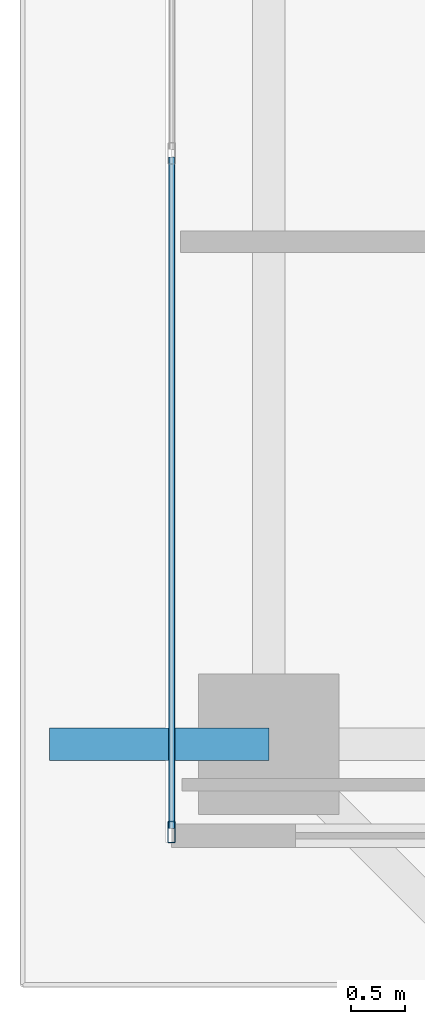
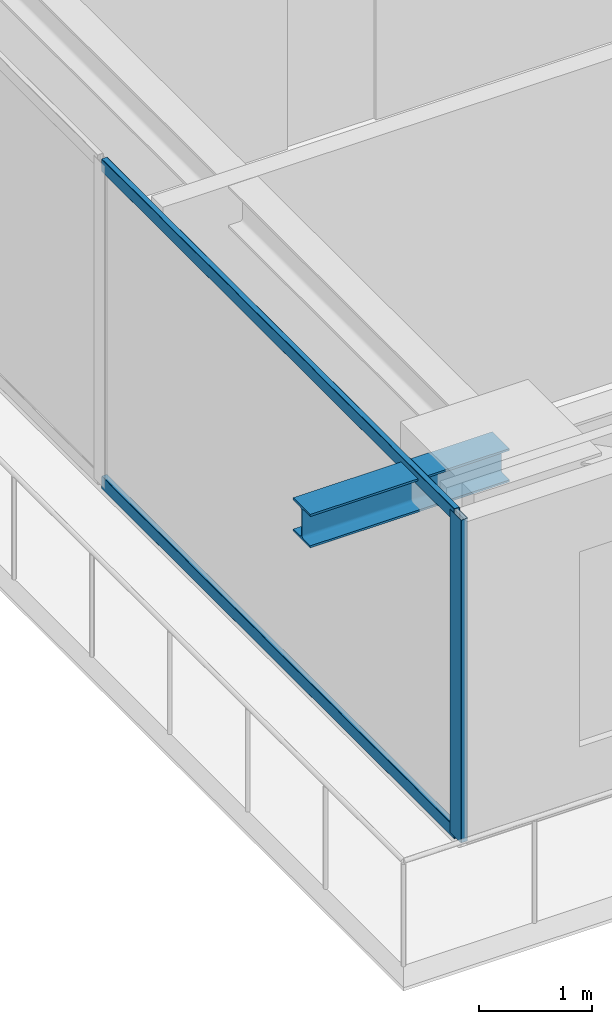
# One storey, part 3 of 36: 3 members, 1 beam, 1 element without a shape of its own.
"""IFC4 building model written with IfcOpenShell, lengths in metres."""

from ifc_helpers import new_model, si_unit, direction, frame, origin, origin_2d, place, context, subcontext, project, spatial, hollow_rectangle, i_section, extrude, source, transform, mapped, material, layer, layer_set, material_profile, profile_set, type_object, element, aggregate, save


model = new_model("IFC4")

# Units and contexts
model_context = context("Model", 3, precision=1e-05, world=origin(), true_north=direction((0.0, 1.0)))
body_context = subcontext(model_context, "Body", "Model", "MODEL_VIEW")
ifc_project = project(units=[si_unit("LENGTHUNIT", "METRE"), si_unit("AREAUNIT", "SQUARE_METRE"), si_unit("VOLUMEUNIT", "CUBIC_METRE"), si_unit("PLANEANGLEUNIT", "RADIAN"), si_unit("MASSUNIT", "GRAM", prefix="KILO")], contexts=[model_context])

# Site, building, storey
site_placement = place(None, origin())
site = spatial("IfcSite", under=ifc_project, at=site_placement, CompositionType="ELEMENT")
building_placement = place(site_placement, origin())
building = spatial("IfcBuilding", under=site, at=building_placement, Name="Serunith Strait Residences", CompositionType="ELEMENT")
storey_placement = place(building_placement, frame((0.0, 0.0, 131.39990234375)))
storey = spatial("IfcBuildingStorey", under=building, at=storey_placement, Name="L32", CompositionType="ELEMENT", Elevation=131.39990234375)

# Beam
ifc_material_1 = material(Name="Steel S355J2", Category="steel")
ifc_material_profile_1 = material_profile(ifc_material_1, i_section(OverallWidth=0.300048828125, OverallDepth=0.360107421875, WebThickness=0.012451171875, FlangeThickness=0.0224609375, FilletRadius=0.027099609375, at=origin_2d()), Name="HEB 360")
ifc_profile_set_1 = profile_set([ifc_material_profile_1], Name="Steel S355J2")
beam_type = type_object("IfcBeamType", Name="BM-HEB360", PredefinedType="BEAM", material=ifc_profile_set_1)
shared_shape_1 = source(origin(), body_context, "Body", "SweptSolid", [
    extrude(i_section(OverallWidth=0.300048828125, OverallDepth=0.360107421875, WebThickness=0.012451171875, FlangeThickness=0.0224609375, FilletRadius=0.027099609375, at=origin_2d()), origin(), (0.0, 0.0, 1.0), 2.030029296875),
])
beam_placement = place(storey_placement, frame((8.699951171875, 10.25, 3.277099609375), z_axis=(-1.0, 0.0, 0.0), x_axis=(0.0, -1.0, 0.0)))
element("IfcBeam", 1, at=beam_placement, inside=storey, type_object=beam_type, Name="L33 Cantilevered Balcony Rib TC-W1", PredefinedType="BEAM", context=body_context, shape_type="MappedRepresentation", body=[
    mapped(shared_shape_1, transform((0.0, 0.0, 0.0), scale=1.0)),
])

# Curtain wall, members
ifc_material_2 = material(Name="Pale-Champagne Anodised Aluminium", Category="aluminium")
ifc_layer = layer(ifc_material_2, 0.199951171875, Name="Pale-Champagne Anodised Aluminium")
ifc_layer_set = layer_set([ifc_layer], Name="Pale-Champagne Anodised Aluminium")
curtain_wall_type = type_object("IfcCurtainWallType", Name="CW-SYS2", PredefinedType="NOTDEFINED", material=ifc_layer_set)
curtain_wall_placement = place(storey_placement, origin())
curtain_wall = element("IfcCurtainWall", 2, at=curtain_wall_placement, inside=storey, type_object=curtain_wall_type, Name="L32 W Unitised Fritted Curtain Wall", PredefinedType="NOTDEFINED")
ifc_material_profile_2 = material_profile(ifc_material_2, hollow_rectangle(XDim=0.070068359375, YDim=0.199951171875, WallThickness=0.00390625, InnerFilletRadius=0.006103515625, OuterFilletRadius=0.010009765625, at=origin_2d()), Name="ALU 200x70x4")
ifc_profile_set_2 = profile_set([ifc_material_profile_2], Name="Pale-Champagne Anodised Aluminium")
member_type_1 = type_object("IfcMemberType", Name="CW-SYS2-MULL", PredefinedType="MULLION", material=ifc_profile_set_2)
shared_shape_2 = source(origin(), body_context, "Body", "SweptSolid", [
    extrude(hollow_rectangle(XDim=0.070068359375, YDim=0.199951171875, WallThickness=0.00390625, InnerFilletRadius=0.006103515625, OuterFilletRadius=0.010009765625, at=origin_2d()), origin(), (0.0, 0.0, 1.0), 3.47509765625),
])
member_1_placement = place(storey_placement, frame((7.800048828125, 9.43505859375, 0.0), z_axis=(0.0, 0.0, 1.0), x_axis=(1.0, 0.0, 0.0)))
member_1 = element("IfcMember", 3, at=member_1_placement, type_object=member_type_1, Name="CW-2 mullion 6", PredefinedType="MULLION", context=body_context, shape_type="MappedRepresentation", body=[
    mapped(shared_shape_2, transform((0.0, 0.0, 0.0), scale=1.0)),
])
ifc_material_profile_3 = material_profile(ifc_material_2, hollow_rectangle(XDim=0.06005859375, YDim=0.139892578125, WallThickness=0.00341796875, InnerFilletRadius=0.00537109375, OuterFilletRadius=0.0087890625, at=origin_2d()), Name="ALU 140x60x3.5")
ifc_profile_set_3 = profile_set([ifc_material_profile_3], Name="Pale-Champagne Anodised Aluminium")
member_type_2 = type_object("IfcMemberType", Name="CW-SYS2-TRAN", PredefinedType="USERDEFINED", material=ifc_profile_set_3)
shared_shape_3 = source(origin(), body_context, "Body", "SweptSolid", [
    extrude(hollow_rectangle(XDim=0.06005859375, YDim=0.139892578125, WallThickness=0.00341796875, InnerFilletRadius=0.00537109375, OuterFilletRadius=0.0087890625, at=origin_2d()), origin(), (0.0, 0.0, 1.0), 6.215087890625),
])
member_2_placement = place(storey_placement, frame((7.800048828125, 15.68505859375, 0.030029296875), z_axis=(0.0, -1.0, 0.0), x_axis=(1.0, 0.0, 0.0)))
member_2 = element("IfcMember", 4, at=member_2_placement, type_object=member_type_2, Name="CW-2 transom 5.1", ObjectType="TRANSOM", PredefinedType="USERDEFINED", context=body_context, shape_type="MappedRepresentation", body=[
    mapped(shared_shape_3, transform((0.0, 0.0, 0.0), scale=1.0)),
])
member_3_placement = place(storey_placement, frame((7.800048828125, 15.68505859375, 3.445068359375), z_axis=(0.0, -1.0, 0.0), x_axis=(1.0, 0.0, 0.0)))
member_3 = element("IfcMember", 5, at=member_3_placement, type_object=member_type_2, Name="CW-2 transom 5.2", ObjectType="TRANSOM", PredefinedType="USERDEFINED", context=body_context, shape_type="MappedRepresentation", body=[
    mapped(shared_shape_3, transform((0.0, 0.0, 0.0), scale=1.0)),
])
aggregate(curtain_wall, [member_1, member_2, member_3])

save(model, "model.ifc")
